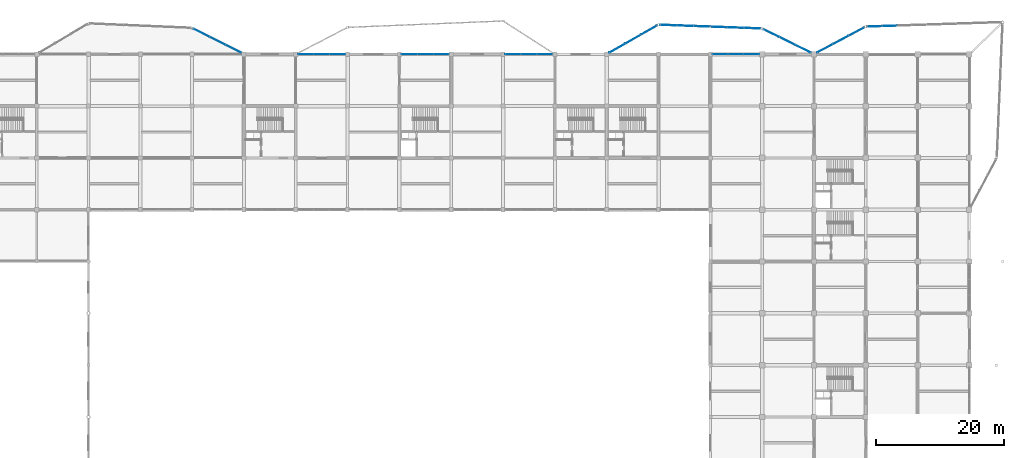
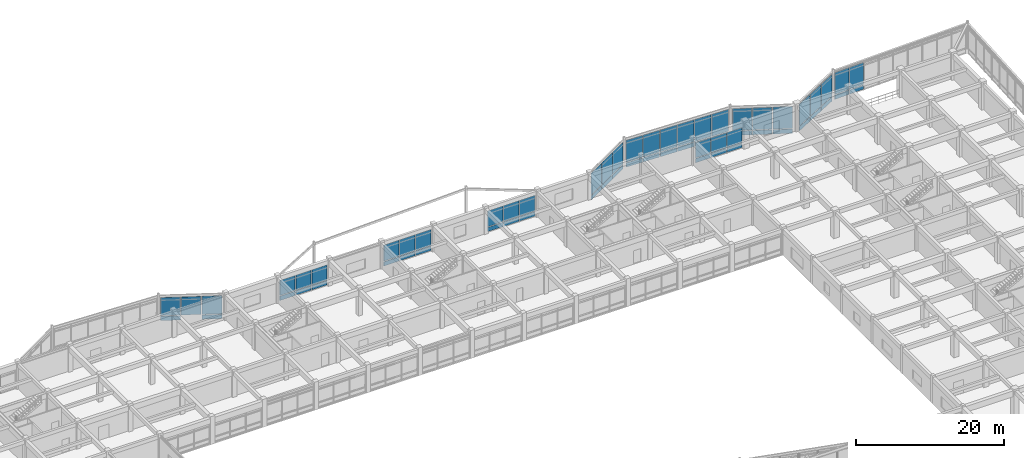
# One storey, part 57 of 93: 63 plates, 11 elements without a shape of their own.
"""IFC4 building model written with IfcOpenShell, lengths in metres."""

from ifc_helpers import new_model, si_unit, direction, frame, origin, origin_2d, place, context, subcontext, project, spatial, rectangle, extrude, material, layer, layer_set, type_object, element, aggregate, save


model = new_model("IFC4")

# Units and contexts
model_context = context("Model", 3, precision=1e-05, world=origin(), true_north=direction((0.0, 1.0)))
body_context = subcontext(model_context, "Body", "Model", "MODEL_VIEW")
ifc_project = project(units=[si_unit("LENGTHUNIT", "METRE"), si_unit("AREAUNIT", "SQUARE_METRE"), si_unit("VOLUMEUNIT", "CUBIC_METRE"), si_unit("PLANEANGLEUNIT", "RADIAN"), si_unit("MASSUNIT", "GRAM", prefix="KILO")], contexts=[model_context])

# Site, building, storey
site_placement = place(None, origin())
site = spatial("IfcSite", under=ifc_project, at=site_placement, CompositionType="ELEMENT")
building_placement = place(site_placement, origin())
building = spatial("IfcBuilding", under=site, at=building_placement, Name="Vaudrelin Polytechnic", CompositionType="ELEMENT")
storey_placement = place(building_placement, frame((0.0, 0.0, 5.10009765625)))
storey = spatial("IfcBuildingStorey", under=building, at=storey_placement, Name="L01", CompositionType="ELEMENT", Elevation=5.10009765625)

# Curtain wall, plates
ifc_material_1 = material(Name="Thermally broken anodised aluminium AA 6063-T6 and low-e triple glazing", Category="aluminium")
ifc_layer_1 = layer(ifc_material_1, 0.199951171875)
ifc_layer_set_1 = layer_set([ifc_layer_1], Name="Thermally broken anodised aluminium AA 6063-T6 and low-e triple glazing")
curtain_wall_type_1 = type_object("IfcCurtainWallType", Name="CW-CW-STU", PredefinedType="USERDEFINED", material=ifc_layer_set_1)
curtain_wall_1_placement = place(storey_placement, origin())
curtain_wall_1 = element("IfcCurtainWall", 1, at=curtain_wall_1_placement, inside=storey, type_object=curtain_wall_type_1, Name="Curtain wall L01 N_V5_08", ObjectType="CURTAIN WALL", PredefinedType="USERDEFINED")
ifc_material_2 = material(Name="Insulated ceramic-frit spandrel glass panel", Category="glass")
ifc_layer_2 = layer(ifc_material_2, 0.052001953125)
ifc_layer_set_2 = layer_set([ifc_layer_2], Name="Insulated ceramic-frit spandrel glass panel")
plate_type_1 = type_object("IfcPlateType", Name="PLT-GLZ-SPAND", PredefinedType="CURTAIN_PANEL", material=ifc_layer_set_2)
plate_1_placement = place(storey_placement, frame((66.365234375, 121.5, 0.08984375), z_axis=(0.0, 0.0, 1.0), x_axis=(1.0, 0.0, 0.0)))
plate_1 = element("IfcPlate", 2, at=plate_1_placement, type_object=plate_type_1, Name="N_V5_08 spandrel panel 1", PredefinedType="CURTAIN_PANEL", context=body_context, shape_type="SweptSolid", body=[
    extrude(rectangle(XDim=2.384765625, YDim=0.052001953125, at=origin_2d()), origin(), (0.0, 0.0, 1.0), 0.699951171875),
])
plate_2_placement = place(storey_placement, frame((68.85009765625, 121.5, 0.08984375), z_axis=(0.0, 0.0, 1.0), x_axis=(1.0, 0.0, 0.0)))
plate_2 = element("IfcPlate", 3, at=plate_2_placement, type_object=plate_type_1, Name="N_V5_08 spandrel panel 2", PredefinedType="CURTAIN_PANEL", context=body_context, shape_type="SweptSolid", body=[
    extrude(rectangle(XDim=2.384765625, YDim=0.052001953125, at=origin_2d()), origin(), (0.0, 0.0, 1.0), 0.699951171875),
])
plate_3_placement = place(storey_placement, frame((71.334716796875, 121.5, 0.08984375), z_axis=(0.0, 0.0, 1.0), x_axis=(1.0, 0.0, 0.0)))
plate_3 = element("IfcPlate", 4, at=plate_3_placement, type_object=plate_type_1, Name="N_V5_08 spandrel panel 3", PredefinedType="CURTAIN_PANEL", context=body_context, shape_type="SweptSolid", body=[
    extrude(rectangle(XDim=2.384765625, YDim=0.052001953125, at=origin_2d()), origin(), (0.0, 0.0, 1.0), 0.699951171875),
])

curtain_wall_2_placement = place(storey_placement, origin())
curtain_wall_2 = element("IfcCurtainWall", 5, at=curtain_wall_2_placement, inside=storey, type_object=curtain_wall_type_1, Name="Curtain wall L01 N_V5_10", ObjectType="CURTAIN WALL", PredefinedType="USERDEFINED")
plate_4_placement = place(storey_placement, frame((82.565185546875, 121.5, 0.08984375), z_axis=(0.0, 0.0, 1.0), x_axis=(1.0, 0.0, 0.0)))
plate_4 = element("IfcPlate", 6, at=plate_4_placement, type_object=plate_type_1, Name="N_V5_10 spandrel panel 1", PredefinedType="CURTAIN_PANEL", context=body_context, shape_type="SweptSolid", body=[
    extrude(rectangle(XDim=2.384765625, YDim=0.052001953125, at=origin_2d()), origin(), (0.0, 0.0, 1.0), 0.699951171875),
])
plate_5_placement = place(storey_placement, frame((85.050048828125, 121.5, 0.08984375), z_axis=(0.0, 0.0, 1.0), x_axis=(1.0, 0.0, 0.0)))
plate_5 = element("IfcPlate", 7, at=plate_5_placement, type_object=plate_type_1, Name="N_V5_10 spandrel panel 2", PredefinedType="CURTAIN_PANEL", context=body_context, shape_type="SweptSolid", body=[
    extrude(rectangle(XDim=2.384765625, YDim=0.052001953125, at=origin_2d()), origin(), (0.0, 0.0, 1.0), 0.699951171875),
])
plate_6_placement = place(storey_placement, frame((87.53466796875, 121.5, 0.08984375), z_axis=(0.0, 0.0, 1.0), x_axis=(1.0, 0.0, 0.0)))
plate_6 = element("IfcPlate", 8, at=plate_6_placement, type_object=plate_type_1, Name="N_V5_10 spandrel panel 3", PredefinedType="CURTAIN_PANEL", context=body_context, shape_type="SweptSolid", body=[
    extrude(rectangle(XDim=2.384765625, YDim=0.052001953125, at=origin_2d()), origin(), (0.0, 0.0, 1.0), 0.699951171875),
])

curtain_wall_3_placement = place(storey_placement, origin())
curtain_wall_3 = element("IfcCurtainWall", 9, at=curtain_wall_3_placement, inside=storey, type_object=curtain_wall_type_1, Name="Curtain wall L01 N_V5_12", ObjectType="CURTAIN WALL", PredefinedType="USERDEFINED")
plate_7_placement = place(storey_placement, frame((98.765380859375, 121.5, 0.08984375), z_axis=(0.0, 0.0, 1.0), x_axis=(1.0, 0.0, 0.0)))
plate_7 = element("IfcPlate", 10, at=plate_7_placement, type_object=plate_type_1, Name="N_V5_12 spandrel panel 1", PredefinedType="CURTAIN_PANEL", context=body_context, shape_type="SweptSolid", body=[
    extrude(rectangle(XDim=2.384765625, YDim=0.052001953125, at=origin_2d()), origin(), (0.0, 0.0, 1.0), 0.699951171875),
])
plate_8_placement = place(storey_placement, frame((101.25, 121.5, 0.08984375), z_axis=(0.0, 0.0, 1.0), x_axis=(1.0, 0.0, 0.0)))
plate_8 = element("IfcPlate", 11, at=plate_8_placement, type_object=plate_type_1, Name="N_V5_12 spandrel panel 2", PredefinedType="CURTAIN_PANEL", context=body_context, shape_type="SweptSolid", body=[
    extrude(rectangle(XDim=2.384765625, YDim=0.052001953125, at=origin_2d()), origin(), (0.0, 0.0, 1.0), 0.699951171875),
])
plate_9_placement = place(storey_placement, frame((103.734619140625, 121.5, 0.08984375), z_axis=(0.0, 0.0, 1.0), x_axis=(1.0, 0.0, 0.0)))
plate_9 = element("IfcPlate", 12, at=plate_9_placement, type_object=plate_type_1, Name="N_V5_12 spandrel panel 3", PredefinedType="CURTAIN_PANEL", context=body_context, shape_type="SweptSolid", body=[
    extrude(rectangle(XDim=2.384765625, YDim=0.052001953125, at=origin_2d()), origin(), (0.0, 0.0, 1.0), 0.699951171875),
])

ifc_layer_3 = layer(ifc_material_1, 0.199951171875)
ifc_layer_set_3 = layer_set([ifc_layer_3], Name="Thermally broken anodised aluminium AA 6063-T6 and low-e triple glazing")
curtain_wall_type_2 = type_object("IfcCurtainWallType", Name="CW-CW-LAB", PredefinedType="USERDEFINED", material=ifc_layer_set_3)
curtain_wall_4_placement = place(storey_placement, origin())
curtain_wall_4 = element("IfcCurtainWall", 13, at=curtain_wall_4_placement, inside=storey, type_object=curtain_wall_type_2, Name="Curtain wall L01 N_V4_00", ObjectType="CURTAIN WALL", PredefinedType="USERDEFINED")
plate_10_placement = place(storey_placement, frame((131.148681640625, 121.5, 0.08984375), z_axis=(0.0, 0.0, 1.0), x_axis=(1.0, 0.0, 0.0)))
plate_10 = element("IfcPlate", 14, at=plate_10_placement, type_object=plate_type_1, Name="N_V4_00 spandrel panel 1", PredefinedType="CURTAIN_PANEL", context=body_context, shape_type="SweptSolid", body=[
    extrude(rectangle(XDim=2.351318359375, YDim=0.052001953125, at=origin_2d()), origin(), (0.0, 0.0, 1.0), 0.699951171875),
])
plate_11_placement = place(storey_placement, frame((133.60009765625, 121.5, 0.08984375), z_axis=(0.0, 0.0, 1.0), x_axis=(1.0, 0.0, 0.0)))
plate_11 = element("IfcPlate", 15, at=plate_11_placement, type_object=plate_type_1, Name="N_V4_00 spandrel panel 2", PredefinedType="CURTAIN_PANEL", context=body_context, shape_type="SweptSolid", body=[
    extrude(rectangle(XDim=2.351318359375, YDim=0.052001953125, at=origin_2d()), origin(), (0.0, 0.0, 1.0), 0.699951171875),
])
plate_12_placement = place(storey_placement, frame((136.05126953125, 121.5, 0.08984375), z_axis=(0.0, 0.0, 1.0), x_axis=(1.0, 0.0, 0.0)))
plate_12 = element("IfcPlate", 16, at=plate_12_placement, type_object=plate_type_1, Name="N_V4_00 spandrel panel 3", PredefinedType="CURTAIN_PANEL", context=body_context, shape_type="SweptSolid", body=[
    extrude(rectangle(XDim=2.351318359375, YDim=0.052001953125, at=origin_2d()), origin(), (0.0, 0.0, 1.0), 0.699951171875),
])

curtain_wall_5_placement = place(storey_placement, origin())
curtain_wall_5 = element("IfcCurtainWall", 17, at=curtain_wall_5_placement, inside=storey, type_object=curtain_wall_type_2, Name="Curtain wall L01 NEP_1_0", ObjectType="CURTAIN WALL", PredefinedType="USERDEFINED")
plate_13_placement = place(storey_placement, frame((147.52880859375, 122.417724609375, -0.5400390625), z_axis=(0.0, 0.0, 1.0), x_axis=(0.883256373642, 0.468890369298, 0.0)))
plate_13 = element("IfcPlate", 18, at=plate_13_placement, type_object=plate_type_1, Name="NEP_1_0 spandrel panel 1", PredefinedType="CURTAIN_PANEL", context=body_context, shape_type="SweptSolid", body=[
    extrude(rectangle(XDim=2.68212890625, YDim=0.052001953125, at=origin_2d()), origin(), (0.0, 0.0, 1.0), 0.699951171875),
])
plate_14_placement = place(storey_placement, frame((149.986083984375, 123.722412109375, -0.5400390625), z_axis=(0.0, 0.0, 1.0), x_axis=(0.883256373642, 0.468890369298, 0.0)))
plate_14 = element("IfcPlate", 19, at=plate_14_placement, type_object=plate_type_1, Name="NEP_1_0 spandrel panel 2", PredefinedType="CURTAIN_PANEL", context=body_context, shape_type="SweptSolid", body=[
    extrude(rectangle(XDim=2.68212890625, YDim=0.052001953125, at=origin_2d()), origin(), (0.0, 0.0, 1.0), 0.699951171875),
])
plate_15_placement = place(storey_placement, frame((152.443603515625, 125.02685546875, -0.5400390625), z_axis=(0.0, 0.0, 1.0), x_axis=(0.883256373642, 0.468890369298, 0.0)))
plate_15 = element("IfcPlate", 20, at=plate_15_placement, type_object=plate_type_1, Name="NEP_1_0 spandrel panel 3", PredefinedType="CURTAIN_PANEL", context=body_context, shape_type="SweptSolid", body=[
    extrude(rectangle(XDim=2.68212890625, YDim=0.052001953125, at=origin_2d()), origin(), (0.0, 0.0, 1.0), 0.699951171875),
])

curtain_wall_6_placement = place(storey_placement, origin())
curtain_wall_6 = element("IfcCurtainWall", 21, at=curtain_wall_6_placement, inside=storey, type_object=curtain_wall_type_2, Name="Curtain wall L01 NEP_2_0", ObjectType="CURTAIN WALL", PredefinedType="USERDEFINED")
plate_16_placement = place(storey_placement, frame((155.297119140625, 125.845703125, -0.5400390625), z_axis=(0.0, 0.0, 1.0), x_axis=(0.999465454284, 0.032692593862, 0.0)))
plate_16 = element("IfcPlate", 22, at=plate_16_placement, type_object=plate_type_1, Name="NEP_2_0 spandrel panel 1", PredefinedType="CURTAIN_PANEL", context=body_context, shape_type="SweptSolid", body=[
    extrude(rectangle(XDim=2.220703125, YDim=0.052001953125, at=origin_2d()), origin(), (0.0, 0.0, 1.0), 0.699951171875),
])
plate_17_placement = place(storey_placement, frame((157.616455078125, 125.921630859375, -0.5400390625), z_axis=(0.0, 0.0, 1.0), x_axis=(0.999465454284, 0.032692593862, 0.0)))
plate_17 = element("IfcPlate", 23, at=plate_17_placement, type_object=plate_type_1, Name="NEP_2_0 spandrel panel 2", PredefinedType="CURTAIN_PANEL", context=body_context, shape_type="SweptSolid", body=[
    extrude(rectangle(XDim=2.220703125, YDim=0.052001953125, at=origin_2d()), origin(), (0.0, 0.0, 1.0), 0.699951171875),
])

curtain_wall_7_placement = place(storey_placement, origin())
curtain_wall_7 = element("IfcCurtainWall", 24, at=curtain_wall_7_placement, inside=storey, type_object=curtain_wall_type_1, Name="Curtain wall L01 N_OR1_3_0", ObjectType="CURTAIN WALL", PredefinedType="USERDEFINED")
plate_18_placement = place(storey_placement, frame((50.073486328125, 124.85400390625, 0.08984375), z_axis=(0.0, 0.0, 1.0), x_axis=(0.892216550993, -0.451607823375, 0.0)))
plate_18 = element("IfcPlate", 25, at=plate_18_placement, type_object=plate_type_1, Name="N_OR1_3_0 spandrel panel 1", PredefinedType="CURTAIN_PANEL", context=body_context, shape_type="SweptSolid", body=[
    extrude(rectangle(XDim=2.691162109375, YDim=0.052001953125, at=origin_2d()), origin(), (0.0, 0.0, 1.0), 0.699951171875),
])
plate_19_placement = place(storey_placement, frame((55.053955078125, 122.333251953125, 0.08984375), z_axis=(0.0, 0.0, 1.0), x_axis=(0.892216550993, -0.451607823375, 0.0)))
plate_19 = element("IfcPlate", 26, at=plate_19_placement, type_object=plate_type_1, Name="N_OR1_3_0 spandrel panel 3", PredefinedType="CURTAIN_PANEL", context=body_context, shape_type="SweptSolid", body=[
    extrude(rectangle(XDim=2.691162109375, YDim=0.052001953125, at=origin_2d()), origin(), (0.0, 0.0, 1.0), 0.699951171875),
])

curtain_wall_8_placement = place(storey_placement, origin())
curtain_wall_8 = element("IfcCurtainWall", 27, at=curtain_wall_8_placement, inside=storey, type_object=curtain_wall_type_1, Name="Curtain wall L01 N_OR3_1_0", ObjectType="CURTAIN WALL", PredefinedType="USERDEFINED")
plate_20_placement = place(storey_placement, frame((115.044677734375, 122.43408203125, -0.5400390625), z_axis=(0.0, 0.0, 1.0), x_axis=(0.869560902345, 0.493825715322, 0.0)))
plate_20 = element("IfcPlate", 28, at=plate_20_placement, type_object=plate_type_1, Name="N_OR3_1_0 spandrel panel 1", PredefinedType="CURTAIN_PANEL", context=body_context, shape_type="SweptSolid", body=[
    extrude(rectangle(XDim=2.765380859375, YDim=0.052001953125, at=origin_2d()), origin(), (0.0, 0.0, 1.0), 0.699951171875),
])
plate_21_placement = place(storey_placement, frame((117.5361328125, 123.84912109375, -0.5400390625), z_axis=(0.0, 0.0, 1.0), x_axis=(0.869560902345, 0.493825715322, 0.0)))
plate_21 = element("IfcPlate", 29, at=plate_21_placement, type_object=plate_type_1, Name="N_OR3_1_0 spandrel panel 2", PredefinedType="CURTAIN_PANEL", context=body_context, shape_type="SweptSolid", body=[
    extrude(rectangle(XDim=2.765380859375, YDim=0.052001953125, at=origin_2d()), origin(), (0.0, 0.0, 1.0), 0.699951171875),
])
plate_22_placement = place(storey_placement, frame((120.02783203125, 125.263916015625, -0.5400390625), z_axis=(0.0, 0.0, 1.0), x_axis=(0.869560902345, 0.493825715322, 0.0)))
plate_22 = element("IfcPlate", 30, at=plate_22_placement, type_object=plate_type_1, Name="N_OR3_1_0 spandrel panel 3", PredefinedType="CURTAIN_PANEL", context=body_context, shape_type="SweptSolid", body=[
    extrude(rectangle(XDim=2.765380859375, YDim=0.052001953125, at=origin_2d()), origin(), (0.0, 0.0, 1.0), 0.699951171875),
])

curtain_wall_9_placement = place(storey_placement, origin())
curtain_wall_9 = element("IfcCurtainWall", 31, at=curtain_wall_9_placement, inside=storey, type_object=curtain_wall_type_1, Name="Curtain wall L01 N_OR3_2_0", ObjectType="CURTAIN WALL", PredefinedType="USERDEFINED")
plate_23_placement = place(storey_placement, frame((123.0478515625, 126.042724609375, -0.5400390625), z_axis=(0.0, 0.0, 1.0), x_axis=(0.999314868587, -0.037010720341, 0.0)))
plate_23 = element("IfcPlate", 32, at=plate_23_placement, type_object=plate_type_1, Name="N_OR3_2_0 spandrel panel 1", PredefinedType="CURTAIN_PANEL", context=body_context, shape_type="SweptSolid", body=[
    extrude(rectangle(XDim=2.522705078125, YDim=0.052001953125, at=origin_2d()), origin(), (0.0, 0.0, 1.0), 0.699951171875),
])
plate_24_placement = place(storey_placement, frame((125.668701171875, 125.945556640625, -0.5400390625), z_axis=(0.0, 0.0, 1.0), x_axis=(0.999314868587, -0.037010720341, 0.0)))
plate_24 = element("IfcPlate", 33, at=plate_24_placement, type_object=plate_type_1, Name="N_OR3_2_0 spandrel panel 2", PredefinedType="CURTAIN_PANEL", context=body_context, shape_type="SweptSolid", body=[
    extrude(rectangle(XDim=2.522705078125, YDim=0.052001953125, at=origin_2d()), origin(), (0.0, 0.0, 1.0), 0.699951171875),
])
plate_25_placement = place(storey_placement, frame((128.28955078125, 125.848388671875, -0.5400390625), z_axis=(0.0, 0.0, 1.0), x_axis=(0.999314868587, -0.037010720341, 0.0)))
plate_25 = element("IfcPlate", 34, at=plate_25_placement, type_object=plate_type_1, Name="N_OR3_2_0 spandrel panel 3", PredefinedType="CURTAIN_PANEL", context=body_context, shape_type="SweptSolid", body=[
    extrude(rectangle(XDim=2.522705078125, YDim=0.052001953125, at=origin_2d()), origin(), (0.0, 0.0, 1.0), 0.699951171875),
])

curtain_wall_10_placement = place(storey_placement, origin())
curtain_wall_10 = element("IfcCurtainWall", 35, at=curtain_wall_10_placement, inside=storey, type_object=curtain_wall_type_1, Name="Curtain wall L01 N_OR3_2_1", ObjectType="CURTAIN WALL", PredefinedType="USERDEFINED")
plate_26_placement = place(storey_placement, frame((130.910400390625, 125.75146484375, -0.5400390625), z_axis=(0.0, 0.0, 1.0), x_axis=(0.999314868587, -0.037010720341, 0.0)))
plate_26 = element("IfcPlate", 36, at=plate_26_placement, type_object=plate_type_1, Name="N_OR3_2_1 spandrel panel 1", PredefinedType="CURTAIN_PANEL", context=body_context, shape_type="SweptSolid", body=[
    extrude(rectangle(XDim=2.522705078125, YDim=0.052001953125, at=origin_2d()), origin(), (0.0, 0.0, 1.0), 0.699951171875),
])
plate_27_placement = place(storey_placement, frame((133.53125, 125.654296875, -0.5400390625), z_axis=(0.0, 0.0, 1.0), x_axis=(0.999314868587, -0.037010720341, 0.0)))
plate_27 = element("IfcPlate", 37, at=plate_27_placement, type_object=plate_type_1, Name="N_OR3_2_1 spandrel panel 2", PredefinedType="CURTAIN_PANEL", context=body_context, shape_type="SweptSolid", body=[
    extrude(rectangle(XDim=2.522705078125, YDim=0.052001953125, at=origin_2d()), origin(), (0.0, 0.0, 1.0), 0.699951171875),
])
plate_28_placement = place(storey_placement, frame((136.152099609375, 125.557373046875, -0.5400390625), z_axis=(0.0, 0.0, 1.0), x_axis=(0.999314868587, -0.037010720341, 0.0)))
plate_28 = element("IfcPlate", 38, at=plate_28_placement, type_object=plate_type_1, Name="N_OR3_2_1 spandrel panel 3", PredefinedType="CURTAIN_PANEL", context=body_context, shape_type="SweptSolid", body=[
    extrude(rectangle(XDim=2.522705078125, YDim=0.052001953125, at=origin_2d()), origin(), (0.0, 0.0, 1.0), 0.699951171875),
])

curtain_wall_11_placement = place(storey_placement, origin())
curtain_wall_11 = element("IfcCurtainWall", 39, at=curtain_wall_11_placement, inside=storey, type_object=curtain_wall_type_1, Name="Curtain wall L01 N_OR3_3_0", ObjectType="CURTAIN WALL", PredefinedType="USERDEFINED")
plate_29_placement = place(storey_placement, frame((139.156982421875, 124.780517578125, -0.5400390625), z_axis=(0.0, 0.0, 1.0), x_axis=(0.896627986074, -0.442784659386, 0.0)))
plate_29 = element("IfcPlate", 40, at=plate_29_placement, type_object=plate_type_1, Name="N_OR3_3_0 spandrel panel 1", PredefinedType="CURTAIN_PANEL", context=body_context, shape_type="SweptSolid", body=[
    extrude(rectangle(XDim=2.639892578125, YDim=0.052001953125, at=origin_2d()), origin(), (0.0, 0.0, 1.0), 0.699951171875),
])
plate_30_placement = place(storey_placement, frame((141.61376953125, 123.5673828125, -0.5400390625), z_axis=(0.0, 0.0, 1.0), x_axis=(0.896627986074, -0.442784659386, 0.0)))
plate_30 = element("IfcPlate", 41, at=plate_30_placement, type_object=plate_type_1, Name="N_OR3_3_0 spandrel panel 2", PredefinedType="CURTAIN_PANEL", context=body_context, shape_type="SweptSolid", body=[
    extrude(rectangle(XDim=2.639892578125, YDim=0.052001953125, at=origin_2d()), origin(), (0.0, 0.0, 1.0), 0.699951171875),
])
plate_31_placement = place(storey_placement, frame((144.0703125, 122.35400390625, -0.5400390625), z_axis=(0.0, 0.0, 1.0), x_axis=(0.896627986074, -0.442784659386, 0.0)))
plate_31 = element("IfcPlate", 42, at=plate_31_placement, type_object=plate_type_1, Name="N_OR3_3_0 spandrel panel 3", PredefinedType="CURTAIN_PANEL", context=body_context, shape_type="SweptSolid", body=[
    extrude(rectangle(XDim=2.639892578125, YDim=0.052001953125, at=origin_2d()), origin(), (0.0, 0.0, 1.0), 0.699951171875),
])

# Plate
ifc_material_3 = material(Name="Triple low-e argon insulated glazing unit", Category="glass")
ifc_layer_4 = layer(ifc_material_3, 0.0439453125)
ifc_layer_set_4 = layer_set([ifc_layer_4], Name="Triple low-e argon insulated glazing unit")
plate_type_2 = type_object("IfcPlateType", Name="PLT-GLZ-TRIPLE", PredefinedType="CURTAIN_PANEL", material=ifc_layer_set_4)
plate_32_placement = place(storey_placement, frame((66.365234375, 121.5, 0.89990234375), z_axis=(0.0, 0.0, 1.0), x_axis=(1.0, 0.0, 0.0)))
plate_32 = element("IfcPlate", 43, at=plate_32_placement, type_object=plate_type_2, Name="N_V5_08 vision panel 1", PredefinedType="CURTAIN_PANEL", context=body_context, shape_type="SweptSolid", body=[
    extrude(rectangle(XDim=2.384765625, YDim=0.0439453125, at=origin_2d()), origin(), (0.0, 0.0, 1.0), 2.501953125),
])

plate_33_placement = place(storey_placement, frame((68.85009765625, 121.5, 0.89990234375), z_axis=(0.0, 0.0, 1.0), x_axis=(1.0, 0.0, 0.0)))
plate_33 = element("IfcPlate", 44, at=plate_33_placement, type_object=plate_type_2, Name="N_V5_08 vision panel 2", PredefinedType="CURTAIN_PANEL", context=body_context, shape_type="SweptSolid", body=[
    extrude(rectangle(XDim=2.384765625, YDim=0.0439453125, at=origin_2d()), origin(), (0.0, 0.0, 1.0), 2.501953125),
])

plate_34_placement = place(storey_placement, frame((71.334716796875, 121.5, 0.89990234375), z_axis=(0.0, 0.0, 1.0), x_axis=(1.0, 0.0, 0.0)))
plate_34 = element("IfcPlate", 45, at=plate_34_placement, type_object=plate_type_2, Name="N_V5_08 vision panel 3", PredefinedType="CURTAIN_PANEL", context=body_context, shape_type="SweptSolid", body=[
    extrude(rectangle(XDim=2.384765625, YDim=0.0439453125, at=origin_2d()), origin(), (0.0, 0.0, 1.0), 2.501953125),
])

aggregate(curtain_wall_1, [plate_1, plate_32, plate_2, plate_33, plate_3, plate_34])

plate_35_placement = place(storey_placement, frame((82.565185546875, 121.5, 0.89990234375), z_axis=(0.0, 0.0, 1.0), x_axis=(1.0, 0.0, 0.0)))
plate_35 = element("IfcPlate", 46, at=plate_35_placement, type_object=plate_type_2, Name="N_V5_10 vision panel 1", PredefinedType="CURTAIN_PANEL", context=body_context, shape_type="SweptSolid", body=[
    extrude(rectangle(XDim=2.384765625, YDim=0.0439453125, at=origin_2d()), origin(), (0.0, 0.0, 1.0), 2.652099609375),
])

plate_36_placement = place(storey_placement, frame((85.050048828125, 121.5, 0.89990234375), z_axis=(0.0, 0.0, 1.0), x_axis=(1.0, 0.0, 0.0)))
plate_36 = element("IfcPlate", 47, at=plate_36_placement, type_object=plate_type_2, Name="N_V5_10 vision panel 2", PredefinedType="CURTAIN_PANEL", context=body_context, shape_type="SweptSolid", body=[
    extrude(rectangle(XDim=2.384765625, YDim=0.0439453125, at=origin_2d()), origin(), (0.0, 0.0, 1.0), 2.652099609375),
])

plate_37_placement = place(storey_placement, frame((87.53466796875, 121.5, 0.89990234375), z_axis=(0.0, 0.0, 1.0), x_axis=(1.0, 0.0, 0.0)))
plate_37 = element("IfcPlate", 48, at=plate_37_placement, type_object=plate_type_2, Name="N_V5_10 vision panel 3", PredefinedType="CURTAIN_PANEL", context=body_context, shape_type="SweptSolid", body=[
    extrude(rectangle(XDim=2.384765625, YDim=0.0439453125, at=origin_2d()), origin(), (0.0, 0.0, 1.0), 2.652099609375),
])

aggregate(curtain_wall_2, [plate_4, plate_35, plate_5, plate_36, plate_6, plate_37])

plate_38_placement = place(storey_placement, frame((98.765380859375, 121.5, 0.89990234375), z_axis=(0.0, 0.0, 1.0), x_axis=(1.0, 0.0, 0.0)))
plate_38 = element("IfcPlate", 49, at=plate_38_placement, type_object=plate_type_2, Name="N_V5_12 vision panel 1", PredefinedType="CURTAIN_PANEL", context=body_context, shape_type="SweptSolid", body=[
    extrude(rectangle(XDim=2.384765625, YDim=0.0439453125, at=origin_2d()), origin(), (0.0, 0.0, 1.0), 2.60205078125),
])

plate_39_placement = place(storey_placement, frame((101.25, 121.5, 0.89990234375), z_axis=(0.0, 0.0, 1.0), x_axis=(1.0, 0.0, 0.0)))
plate_39 = element("IfcPlate", 50, at=plate_39_placement, type_object=plate_type_2, Name="N_V5_12 vision panel 2", PredefinedType="CURTAIN_PANEL", context=body_context, shape_type="SweptSolid", body=[
    extrude(rectangle(XDim=2.384765625, YDim=0.0439453125, at=origin_2d()), origin(), (0.0, 0.0, 1.0), 2.60205078125),
])

plate_40_placement = place(storey_placement, frame((103.734619140625, 121.5, 0.89990234375), z_axis=(0.0, 0.0, 1.0), x_axis=(1.0, 0.0, 0.0)))
plate_40 = element("IfcPlate", 51, at=plate_40_placement, type_object=plate_type_2, Name="N_V5_12 vision panel 3", PredefinedType="CURTAIN_PANEL", context=body_context, shape_type="SweptSolid", body=[
    extrude(rectangle(XDim=2.384765625, YDim=0.0439453125, at=origin_2d()), origin(), (0.0, 0.0, 1.0), 2.60205078125),
])

aggregate(curtain_wall_3, [plate_7, plate_38, plate_8, plate_39, plate_9, plate_40])

plate_41_placement = place(storey_placement, frame((131.148681640625, 121.5, 0.89990234375), z_axis=(0.0, 0.0, 1.0), x_axis=(1.0, 0.0, 0.0)))
plate_41 = element("IfcPlate", 52, at=plate_41_placement, type_object=plate_type_2, Name="N_V4_00 vision panel 1", PredefinedType="CURTAIN_PANEL", context=body_context, shape_type="SweptSolid", body=[
    extrude(rectangle(XDim=2.351318359375, YDim=0.0439453125, at=origin_2d()), origin(), (0.0, 0.0, 1.0), 2.4619140625),
])

plate_42_placement = place(storey_placement, frame((133.60009765625, 121.5, 0.89990234375), z_axis=(0.0, 0.0, 1.0), x_axis=(1.0, 0.0, 0.0)))
plate_42 = element("IfcPlate", 53, at=plate_42_placement, type_object=plate_type_2, Name="N_V4_00 vision panel 2", PredefinedType="CURTAIN_PANEL", context=body_context, shape_type="SweptSolid", body=[
    extrude(rectangle(XDim=2.351318359375, YDim=0.0439453125, at=origin_2d()), origin(), (0.0, 0.0, 1.0), 2.4619140625),
])

plate_43_placement = place(storey_placement, frame((136.05126953125, 121.5, 0.89990234375), z_axis=(0.0, 0.0, 1.0), x_axis=(1.0, 0.0, 0.0)))
plate_43 = element("IfcPlate", 54, at=plate_43_placement, type_object=plate_type_2, Name="N_V4_00 vision panel 3", PredefinedType="CURTAIN_PANEL", context=body_context, shape_type="SweptSolid", body=[
    extrude(rectangle(XDim=2.351318359375, YDim=0.0439453125, at=origin_2d()), origin(), (0.0, 0.0, 1.0), 2.4619140625),
])

aggregate(curtain_wall_4, [plate_10, plate_41, plate_11, plate_42, plate_12, plate_43])

plate_44_placement = place(storey_placement, frame((147.52880859375, 122.417724609375, 0.27001953125), z_axis=(0.0, 0.0, 1.0), x_axis=(0.883256373642, 0.468890369298, 0.0)))
plate_44 = element("IfcPlate", 55, at=plate_44_placement, type_object=plate_type_2, Name="NEP_1_0 vision panel 1", PredefinedType="CURTAIN_PANEL", context=body_context, shape_type="SweptSolid", body=[
    extrude(rectangle(XDim=2.68212890625, YDim=0.0439453125, at=origin_2d()), origin(), (0.0, 0.0, 1.0), 3.610107421875),
])

plate_45_placement = place(storey_placement, frame((149.986083984375, 123.722412109375, 0.27001953125), z_axis=(0.0, 0.0, 1.0), x_axis=(0.883256373642, 0.468890369298, 0.0)))
plate_45 = element("IfcPlate", 56, at=plate_45_placement, type_object=plate_type_2, Name="NEP_1_0 vision panel 2", PredefinedType="CURTAIN_PANEL", context=body_context, shape_type="SweptSolid", body=[
    extrude(rectangle(XDim=2.68212890625, YDim=0.0439453125, at=origin_2d()), origin(), (0.0, 0.0, 1.0), 3.610107421875),
])

plate_46_placement = place(storey_placement, frame((152.443603515625, 125.02685546875, 0.27001953125), z_axis=(0.0, 0.0, 1.0), x_axis=(0.883256373642, 0.468890369298, 0.0)))
plate_46 = element("IfcPlate", 57, at=plate_46_placement, type_object=plate_type_2, Name="NEP_1_0 vision panel 3", PredefinedType="CURTAIN_PANEL", context=body_context, shape_type="SweptSolid", body=[
    extrude(rectangle(XDim=2.68212890625, YDim=0.0439453125, at=origin_2d()), origin(), (0.0, 0.0, 1.0), 3.610107421875),
])

aggregate(curtain_wall_5, [plate_13, plate_44, plate_14, plate_45, plate_15, plate_46])

plate_47_placement = place(storey_placement, frame((155.297119140625, 125.845703125, 0.27001953125), z_axis=(0.0, 0.0, 1.0), x_axis=(0.999465454284, 0.032692593862, 0.0)))
plate_47 = element("IfcPlate", 58, at=plate_47_placement, type_object=plate_type_2, Name="NEP_2_0 vision panel 1", PredefinedType="CURTAIN_PANEL", context=body_context, shape_type="SweptSolid", body=[
    extrude(rectangle(XDim=2.220703125, YDim=0.0439453125, at=origin_2d()), origin(), (0.0, 0.0, 1.0), 3.610107421875),
])

plate_48_placement = place(storey_placement, frame((157.616455078125, 125.921630859375, 0.27001953125), z_axis=(0.0, 0.0, 1.0), x_axis=(0.999465454284, 0.032692593862, 0.0)))
plate_48 = element("IfcPlate", 59, at=plate_48_placement, type_object=plate_type_2, Name="NEP_2_0 vision panel 2", PredefinedType="CURTAIN_PANEL", context=body_context, shape_type="SweptSolid", body=[
    extrude(rectangle(XDim=2.220703125, YDim=0.0439453125, at=origin_2d()), origin(), (0.0, 0.0, 1.0), 3.610107421875),
])

aggregate(curtain_wall_6, [plate_16, plate_47, plate_17, plate_48])

plate_49_placement = place(storey_placement, frame((50.073486328125, 124.85400390625, 0.89990234375), z_axis=(0.0, 0.0, 1.0), x_axis=(0.892216550993, -0.451607823375, 0.0)))
plate_49 = element("IfcPlate", 60, at=plate_49_placement, type_object=plate_type_2, Name="N_OR1_3_0 vision panel 1", PredefinedType="CURTAIN_PANEL", context=body_context, shape_type="SweptSolid", body=[
    extrude(rectangle(XDim=2.691162109375, YDim=0.0439453125, at=origin_2d()), origin(), (0.0, 0.0, 1.0), 2.97998046875),
])

plate_50_placement = place(storey_placement, frame((52.563720703125, 123.593505859375, 0.89990234375), z_axis=(0.0, 0.0, 1.0), x_axis=(0.892216550993, -0.451607823375, 0.0)))
plate_50 = element("IfcPlate", 61, at=plate_50_placement, type_object=plate_type_2, Name="N_OR1_3_0 vision panel 2", PredefinedType="CURTAIN_PANEL", context=body_context, shape_type="SweptSolid", body=[
    extrude(rectangle(XDim=2.691162109375, YDim=0.0439453125, at=origin_2d()), origin(), (0.0, 0.0, 1.0), 2.97998046875),
])

plate_51_placement = place(storey_placement, frame((55.053955078125, 122.333251953125, 0.89990234375), z_axis=(0.0, 0.0, 1.0), x_axis=(0.892216550993, -0.451607823375, 0.0)))
plate_51 = element("IfcPlate", 62, at=plate_51_placement, type_object=plate_type_2, Name="N_OR1_3_0 vision panel 3", PredefinedType="CURTAIN_PANEL", context=body_context, shape_type="SweptSolid", body=[
    extrude(rectangle(XDim=2.691162109375, YDim=0.0439453125, at=origin_2d()), origin(), (0.0, 0.0, 1.0), 2.97998046875),
])

aggregate(curtain_wall_7, [plate_18, plate_49, plate_50, plate_19, plate_51])

plate_52_placement = place(storey_placement, frame((115.044677734375, 122.43408203125, 0.27001953125), z_axis=(0.0, 0.0, 1.0), x_axis=(0.869560902345, 0.493825715322, 0.0)))
plate_52 = element("IfcPlate", 63, at=plate_52_placement, type_object=plate_type_2, Name="N_OR3_1_0 vision panel 1", PredefinedType="CURTAIN_PANEL", context=body_context, shape_type="SweptSolid", body=[
    extrude(rectangle(XDim=2.765380859375, YDim=0.0439453125, at=origin_2d()), origin(), (0.0, 0.0, 1.0), 3.610107421875),
])

plate_53_placement = place(storey_placement, frame((117.5361328125, 123.84912109375, 0.27001953125), z_axis=(0.0, 0.0, 1.0), x_axis=(0.869560902345, 0.493825715322, 0.0)))
plate_53 = element("IfcPlate", 64, at=plate_53_placement, type_object=plate_type_2, Name="N_OR3_1_0 vision panel 2", PredefinedType="CURTAIN_PANEL", context=body_context, shape_type="SweptSolid", body=[
    extrude(rectangle(XDim=2.765380859375, YDim=0.0439453125, at=origin_2d()), origin(), (0.0, 0.0, 1.0), 3.610107421875),
])

plate_54_placement = place(storey_placement, frame((120.02783203125, 125.263916015625, 0.27001953125), z_axis=(0.0, 0.0, 1.0), x_axis=(0.869560902345, 0.493825715322, 0.0)))
plate_54 = element("IfcPlate", 65, at=plate_54_placement, type_object=plate_type_2, Name="N_OR3_1_0 vision panel 3", PredefinedType="CURTAIN_PANEL", context=body_context, shape_type="SweptSolid", body=[
    extrude(rectangle(XDim=2.765380859375, YDim=0.0439453125, at=origin_2d()), origin(), (0.0, 0.0, 1.0), 3.610107421875),
])

aggregate(curtain_wall_8, [plate_20, plate_52, plate_21, plate_53, plate_22, plate_54])

plate_55_placement = place(storey_placement, frame((123.0478515625, 126.042724609375, 0.27001953125), z_axis=(0.0, 0.0, 1.0), x_axis=(0.999314868587, -0.037010720341, 0.0)))
plate_55 = element("IfcPlate", 66, at=plate_55_placement, type_object=plate_type_2, Name="N_OR3_2_0 vision panel 1", PredefinedType="CURTAIN_PANEL", context=body_context, shape_type="SweptSolid", body=[
    extrude(rectangle(XDim=2.522705078125, YDim=0.0439453125, at=origin_2d()), origin(), (0.0, 0.0, 1.0), 3.610107421875),
])

plate_56_placement = place(storey_placement, frame((125.668701171875, 125.945556640625, 0.27001953125), z_axis=(0.0, 0.0, 1.0), x_axis=(0.999314868587, -0.037010720341, 0.0)))
plate_56 = element("IfcPlate", 67, at=plate_56_placement, type_object=plate_type_2, Name="N_OR3_2_0 vision panel 2", PredefinedType="CURTAIN_PANEL", context=body_context, shape_type="SweptSolid", body=[
    extrude(rectangle(XDim=2.522705078125, YDim=0.0439453125, at=origin_2d()), origin(), (0.0, 0.0, 1.0), 3.610107421875),
])

plate_57_placement = place(storey_placement, frame((128.28955078125, 125.848388671875, 0.27001953125), z_axis=(0.0, 0.0, 1.0), x_axis=(0.999314868587, -0.037010720341, 0.0)))
plate_57 = element("IfcPlate", 68, at=plate_57_placement, type_object=plate_type_2, Name="N_OR3_2_0 vision panel 3", PredefinedType="CURTAIN_PANEL", context=body_context, shape_type="SweptSolid", body=[
    extrude(rectangle(XDim=2.522705078125, YDim=0.0439453125, at=origin_2d()), origin(), (0.0, 0.0, 1.0), 3.610107421875),
])

aggregate(curtain_wall_9, [plate_23, plate_55, plate_24, plate_56, plate_25, plate_57])

plate_58_placement = place(storey_placement, frame((130.910400390625, 125.75146484375, 0.27001953125), z_axis=(0.0, 0.0, 1.0), x_axis=(0.999314868587, -0.037010720341, 0.0)))
plate_58 = element("IfcPlate", 69, at=plate_58_placement, type_object=plate_type_2, Name="N_OR3_2_1 vision panel 1", PredefinedType="CURTAIN_PANEL", context=body_context, shape_type="SweptSolid", body=[
    extrude(rectangle(XDim=2.522705078125, YDim=0.0439453125, at=origin_2d()), origin(), (0.0, 0.0, 1.0), 3.610107421875),
])

plate_59_placement = place(storey_placement, frame((133.53125, 125.654296875, 0.27001953125), z_axis=(0.0, 0.0, 1.0), x_axis=(0.999314868587, -0.037010720341, 0.0)))
plate_59 = element("IfcPlate", 70, at=plate_59_placement, type_object=plate_type_2, Name="N_OR3_2_1 vision panel 2", PredefinedType="CURTAIN_PANEL", context=body_context, shape_type="SweptSolid", body=[
    extrude(rectangle(XDim=2.522705078125, YDim=0.0439453125, at=origin_2d()), origin(), (0.0, 0.0, 1.0), 3.610107421875),
])

plate_60_placement = place(storey_placement, frame((136.152099609375, 125.557373046875, 0.27001953125), z_axis=(0.0, 0.0, 1.0), x_axis=(0.999314868587, -0.037010720341, 0.0)))
plate_60 = element("IfcPlate", 71, at=plate_60_placement, type_object=plate_type_2, Name="N_OR3_2_1 vision panel 3", PredefinedType="CURTAIN_PANEL", context=body_context, shape_type="SweptSolid", body=[
    extrude(rectangle(XDim=2.522705078125, YDim=0.0439453125, at=origin_2d()), origin(), (0.0, 0.0, 1.0), 3.610107421875),
])

aggregate(curtain_wall_10, [plate_26, plate_58, plate_27, plate_59, plate_28, plate_60])

plate_61_placement = place(storey_placement, frame((139.156982421875, 124.780517578125, 0.27001953125), z_axis=(0.0, 0.0, 1.0), x_axis=(0.896627986074, -0.442784659386, 0.0)))
plate_61 = element("IfcPlate", 72, at=plate_61_placement, type_object=plate_type_2, Name="N_OR3_3_0 vision panel 1", PredefinedType="CURTAIN_PANEL", context=body_context, shape_type="SweptSolid", body=[
    extrude(rectangle(XDim=2.639892578125, YDim=0.0439453125, at=origin_2d()), origin(), (0.0, 0.0, 1.0), 3.610107421875),
])

plate_62_placement = place(storey_placement, frame((141.61376953125, 123.5673828125, 0.27001953125), z_axis=(0.0, 0.0, 1.0), x_axis=(0.896627986074, -0.442784659386, 0.0)))
plate_62 = element("IfcPlate", 73, at=plate_62_placement, type_object=plate_type_2, Name="N_OR3_3_0 vision panel 2", PredefinedType="CURTAIN_PANEL", context=body_context, shape_type="SweptSolid", body=[
    extrude(rectangle(XDim=2.639892578125, YDim=0.0439453125, at=origin_2d()), origin(), (0.0, 0.0, 1.0), 3.610107421875),
])

plate_63_placement = place(storey_placement, frame((144.0703125, 122.35400390625, 0.27001953125), z_axis=(0.0, 0.0, 1.0), x_axis=(0.896627986074, -0.442784659386, 0.0)))
plate_63 = element("IfcPlate", 74, at=plate_63_placement, type_object=plate_type_2, Name="N_OR3_3_0 vision panel 3", PredefinedType="CURTAIN_PANEL", context=body_context, shape_type="SweptSolid", body=[
    extrude(rectangle(XDim=2.639892578125, YDim=0.0439453125, at=origin_2d()), origin(), (0.0, 0.0, 1.0), 3.610107421875),
])

aggregate(curtain_wall_11, [plate_29, plate_61, plate_30, plate_62, plate_31, plate_63])

save(model, "model.ifc")
